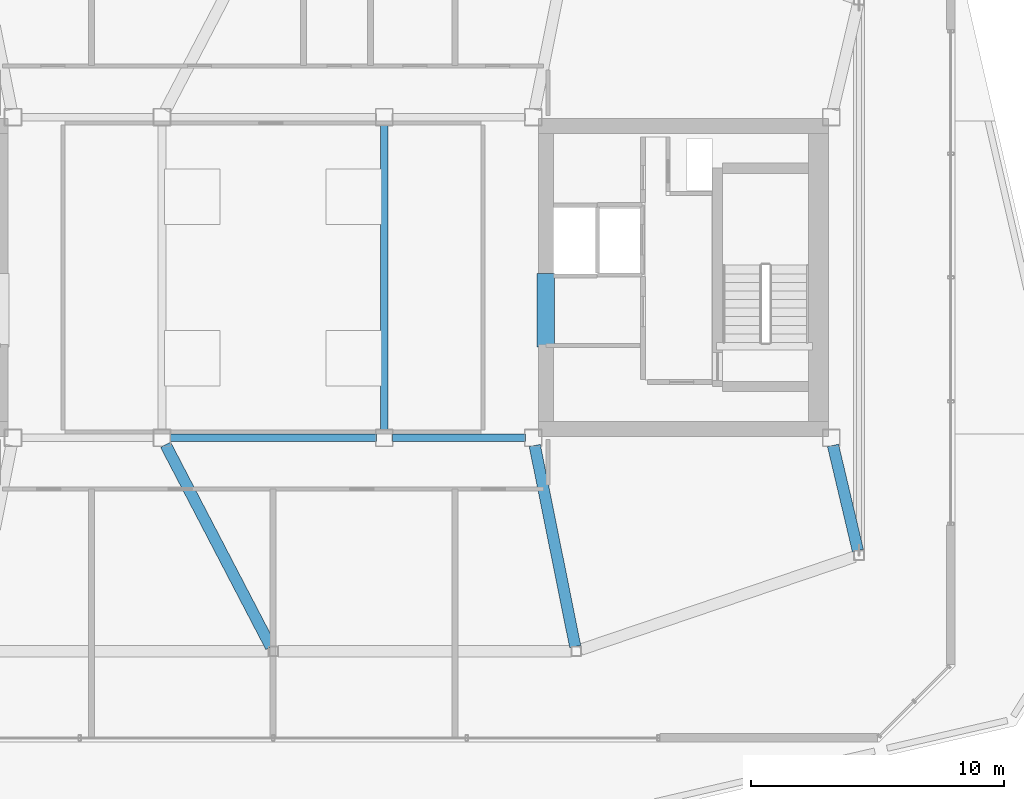
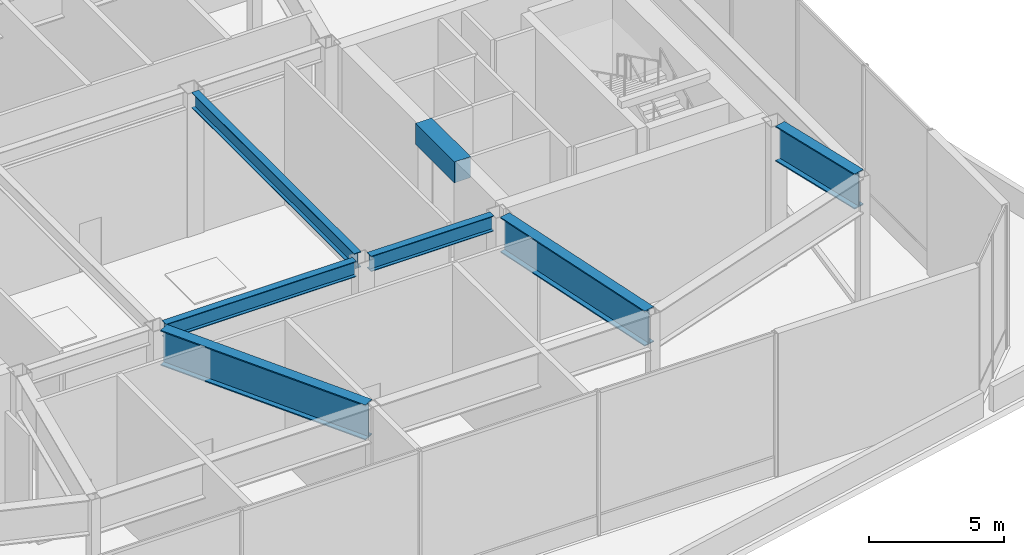
# One storey, part 10 of 25: 7 beams.
"""IFC4 building model written with IfcOpenShell, lengths in metres."""

from ifc_helpers import new_model, si_unit, direction, frame, origin, origin_2d, place, context, subcontext, project, spatial, rectangle, i_section, extrude, material, material_profile, profile_set, type_object, element, save


model = new_model("IFC4")

# Units and contexts
model_context = context("Model", 3, precision=1e-05, world=origin(), true_north=direction((0.0, 1.0)))
body_context = subcontext(model_context, "Body", "Model", "MODEL_VIEW")
ifc_project = project(units=[si_unit("LENGTHUNIT", "METRE"), si_unit("AREAUNIT", "SQUARE_METRE"), si_unit("VOLUMEUNIT", "CUBIC_METRE"), si_unit("PLANEANGLEUNIT", "RADIAN"), si_unit("MASSUNIT", "GRAM", prefix="KILO")], contexts=[model_context])

# Site, building, storey
site_placement = place(None, origin())
site = spatial("IfcSite", under=ifc_project, at=site_placement, CompositionType="ELEMENT")
building_placement = place(site_placement, origin())
building = spatial("IfcBuilding", under=site, at=building_placement, Name="Tavrogorsk Clinical Tower", CompositionType="ELEMENT")
storey_placement = place(building_placement, frame((0.0, 0.0, 333.0)))
storey = spatial("IfcBuildingStorey", under=building, at=storey_placement, Name="L78", CompositionType="ELEMENT", Elevation=333.0)

# Beams
ifc_material_1 = material(Name="Concrete B80", Category="concrete")
ifc_material_profile_1 = material_profile(ifc_material_1, rectangle(XDim=0.699951171875, YDim=0.949951171875, at=origin_2d()), Name="RC-CB-700x950")
ifc_profile_set_1 = profile_set([ifc_material_profile_1], Name="Concrete B80")
beam_type_1 = type_object("IfcBeamType", Name="CouplingBeam_RC700x950", PredefinedType="LINTEL", material=ifc_profile_set_1)
beam_1_placement = place(storey_placement, frame((10.800048828125, -2.75, 6.02490234375), z_axis=(0.0, 1.0, 0.0), x_axis=(-1.0, 0.0, 0.0)))
element("IfcBeam", 1, at=beam_1_placement, inside=storey, type_object=beam_type_1, Name="L78 Core East Coupling Beam", PredefinedType="LINTEL", context=body_context, shape_type="SweptSolid", body=[
    extrude(rectangle(XDim=0.699951171875, YDim=0.949951171875, at=origin_2d()), origin(), (0.0, 0.0, 1.0), 2.89990234375),
])
ifc_material_2 = material(Name="Structural steel S390", Category="steel")
ifc_material_profile_2 = material_profile(ifc_material_2, i_section(OverallWidth=0.300048828125, OverallDepth=0.699951171875, WebThickness=0.01708984375, FlangeThickness=0.028076171875, at=origin_2d()), Name="B-700x300x17x28")
ifc_profile_set_2 = profile_set([ifc_material_profile_2], Name="Structural steel S390")
beam_type_2 = type_object("IfcBeamType", Name="PrimaryGirder_B700", PredefinedType="USERDEFINED", material=ifc_profile_set_2)
beam_2_placement = place(storey_placement, frame((-4.090087890625, -6.35009765625, 6.14990234375), z_axis=(1.0, 0.0, 0.0), x_axis=(0.0, 1.0, 0.0)))
element("IfcBeam", 2, at=beam_2_placement, inside=storey, type_object=beam_type_2, Name="L78 Primary Spine Girder MG-03", ObjectType="GIRDER", PredefinedType="USERDEFINED", context=body_context, shape_type="SweptSolid", body=[
    extrude(i_section(OverallWidth=0.300048828125, OverallDepth=0.699951171875, WebThickness=0.01708984375, FlangeThickness=0.028076171875, at=origin_2d()), origin(), (0.0, 0.0, 1.0), 8.18017578125),
])
beam_3_placement = place(storey_placement, frame((4.7099609375, -6.35009765625, 6.14990234375), z_axis=(1.0, 0.0, 0.0), x_axis=(0.0, 1.0, 0.0)))
element("IfcBeam", 3, at=beam_3_placement, inside=storey, type_object=beam_type_2, Name="L78 Primary Spine Girder MG-05", ObjectType="GIRDER", PredefinedType="USERDEFINED", context=body_context, shape_type="SweptSolid", body=[
    extrude(i_section(OverallWidth=0.300048828125, OverallDepth=0.699951171875, WebThickness=0.01708984375, FlangeThickness=0.028076171875, at=origin_2d()), origin(), (0.0, 0.0, 1.0), 5.280029296875),
])
beam_4_placement = place(storey_placement, frame((4.39990234375, -6.0400390625, 6.14990234375), z_axis=(0.0, 1.0, 0.0), x_axis=(-1.0, 0.0, 0.0)))
element("IfcBeam", 4, at=beam_4_placement, inside=storey, type_object=beam_type_2, Name="L78 Primary Spine Girder MG-08", ObjectType="GIRDER", PredefinedType="USERDEFINED", context=body_context, shape_type="SweptSolid", body=[
    extrude(i_section(OverallWidth=0.300048828125, OverallDepth=0.699951171875, WebThickness=0.01708984375, FlangeThickness=0.028076171875, at=origin_2d()), origin(), (0.0, 0.0, 1.0), 12.080078125),
])
ifc_material_3 = material(Name="Structural steel S440", Category="steel")
ifc_material_profile_3 = material_profile(ifc_material_3, i_section(OverallWidth=0.449951171875, OverallDepth=1.60009765625, WebThickness=0.031982421875, FlangeThickness=0.050048828125, at=origin_2d()), Name="DK-1600x450x32x50")
ifc_profile_set_3 = profile_set([ifc_material_profile_3], Name="Structural steel S440")
beam_type_3 = type_object("IfcBeamType", Name="TransferGirder_DK1600", PredefinedType="USERDEFINED", material=ifc_profile_set_3)
beam_5_placement = place(storey_placement, frame((-4.2568359375, -6.625, 5.699951171875), z_axis=(0.461855081218, -0.886955401332, 0.0), x_axis=(0.886955401332, 0.461855081218, 0.0)))
element("IfcBeam", 5, at=beam_5_placement, inside=storey, type_object=beam_type_3, Name="L78 Crown Radial Beam 02", ObjectType="GIRDER", PredefinedType="USERDEFINED", context=body_context, shape_type="SweptSolid", body=[
    extrude(i_section(OverallWidth=0.449951171875, OverallDepth=1.60009765625, WebThickness=0.031982421875, FlangeThickness=0.050048828125, at=origin_2d()), origin(), (0.0, 0.0, 1.0), 9.027099609375),
])
beam_6_placement = place(storey_placement, frame((10.361083984375, -6.65380859375, 5.699951171875), z_axis=(0.197249355273, -0.980353350504, 0.0), x_axis=(0.980353350504, 0.197249355273, 0.0)))
element("IfcBeam", 6, at=beam_6_placement, inside=storey, type_object=beam_type_3, Name="L78 Crown Radial Beam 03", ObjectType="GIRDER", PredefinedType="USERDEFINED", context=body_context, shape_type="SweptSolid", body=[
    extrude(i_section(OverallWidth=0.449951171875, OverallDepth=1.60009765625, WebThickness=0.031982421875, FlangeThickness=0.050048828125, at=origin_2d()), origin(), (0.0, 0.0, 1.0), 8.119384765625),
])
beam_7_placement = place(storey_placement, frame((22.17138671875, -6.651611328125, 5.699951171875), z_axis=(0.230190528398, -0.973145580392, 0.0), x_axis=(0.973145580392, 0.230190528398, 0.0)))
element("IfcBeam", 7, at=beam_7_placement, inside=storey, type_object=beam_type_3, Name="L78 Crown Radial Beam 04", ObjectType="GIRDER", PredefinedType="USERDEFINED", context=body_context, shape_type="SweptSolid", body=[
    extrude(i_section(OverallWidth=0.449951171875, OverallDepth=1.60009765625, WebThickness=0.031982421875, FlangeThickness=0.050048828125, at=origin_2d()), origin(), (0.0, 0.0, 1.0), 4.278564453125),
])

save(model, "model.ifc")
